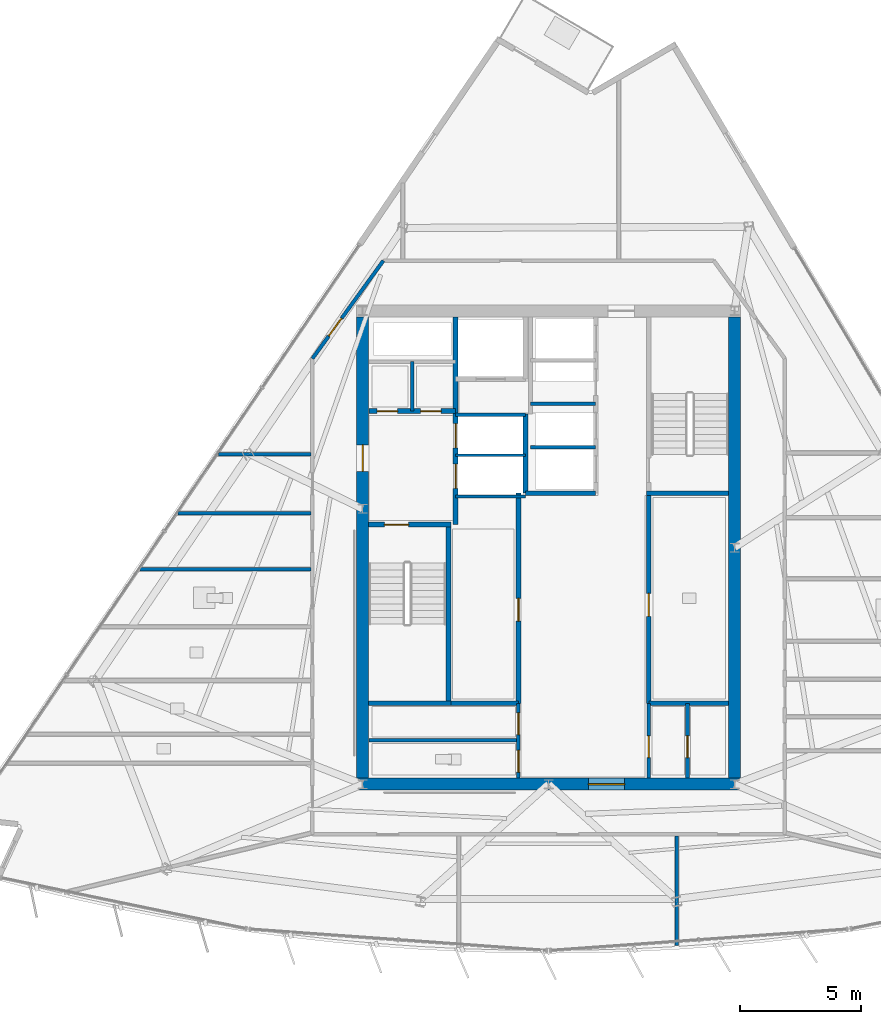
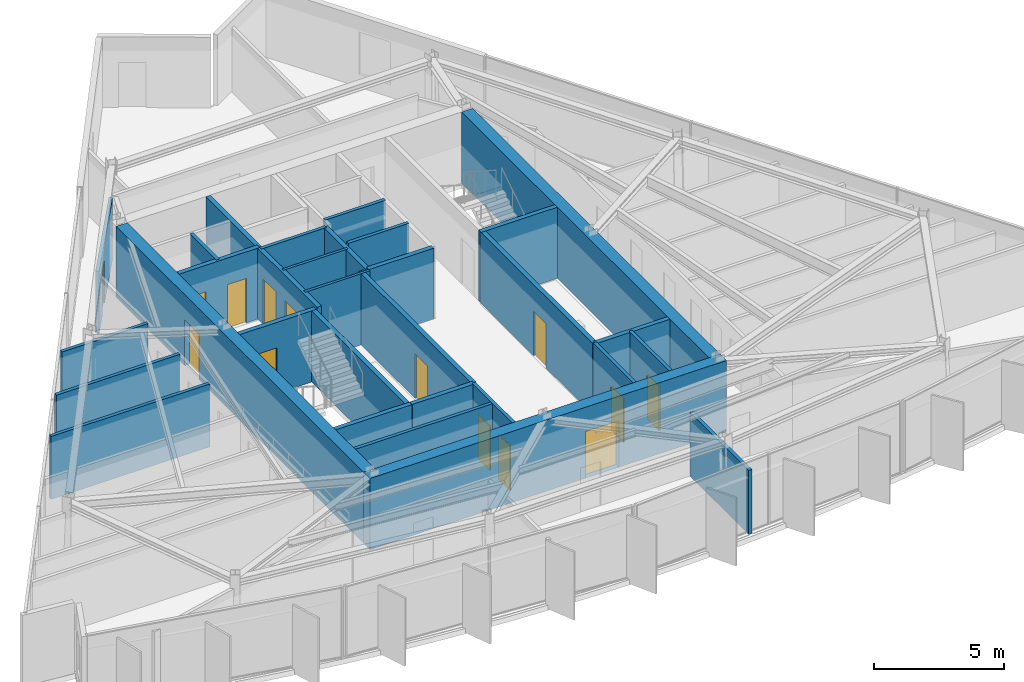
# One storey, part 7 of 13: 30 walls, 14 doors, 14 openings.
"""IFC4 building model written with IfcOpenShell, lengths in metres."""

from ifc_helpers import new_model, si_unit, direction, frame, frame_2d, origin, place, context, subcontext, project, spatial, rectangle, extrude, material, layer, layer_set, type_object, element, fill, save


model = new_model("IFC4")

# Units and contexts
model_context = context("Model", 3, precision=1e-05, world=origin(), true_north=direction((0.0, 1.0)))
body_context = subcontext(model_context, "Body", "Model", "MODEL_VIEW")
ifc_project = project(units=[si_unit("LENGTHUNIT", "METRE"), si_unit("AREAUNIT", "SQUARE_METRE"), si_unit("VOLUMEUNIT", "CUBIC_METRE"), si_unit("PLANEANGLEUNIT", "RADIAN"), si_unit("MASSUNIT", "GRAM", prefix="KILO")], contexts=[model_context])

# Site, building, storey
site_placement = place(None, origin())
site = spatial("IfcSite", under=ifc_project, at=site_placement, CompositionType="ELEMENT")
building_placement = place(site_placement, origin())
building = spatial("IfcBuilding", under=site, at=building_placement, Name="Savorim Split Tower", CompositionType="ELEMENT")
storey_placement = place(building_placement, frame((0.0, 0.0, 254.39990234375)))
storey = spatial("IfcBuildingStorey", under=building, at=storey_placement, Name="L67", CompositionType="ELEMENT", Elevation=254.39990234375)

# Wall, opening, door
ifc_material_1 = material(Name="Concrete C60/75", Category="concrete")
ifc_layer_1 = layer(ifc_material_1, 0.5)
ifc_layer_set_1 = layer_set([ifc_layer_1], Name="WAL-COR-SH500")
wall_type_1 = type_object("IfcWallType", Name="WAL-COR-SH500", PredefinedType="SHEAR", material=ifc_layer_set_1)
wall_1_placement = place(storey_placement, frame((-7.949951171875, -9.39990234375, 0.0), z_axis=(0.0, 0.0, 1.0), x_axis=(1.0, 0.0, 0.0)))
wall_1 = element("IfcWall", 1, at=wall_1_placement, inside=storey, type_object=wall_type_1, Name="L67 Offset Core South Shear Wall", PredefinedType="SHEAR", context=body_context, shape_type="SweptSolid", body=[
    extrude(rectangle(XDim=15.89990234375, YDim=0.5, at=frame_2d((7.949951171875, 0.0))), origin(), (0.0, 0.0, 1.0), 3.35009765625),
])
opening_1_placement = place(wall_1_placement, frame((9.60009765625, 0.0, 0.0)))
opening_1 = element("IfcOpeningElement", 2, at=opening_1_placement, cuts=wall_1, Name="Opening DI-02", PredefinedType="OPENING", context=body_context, shape_type="SweptSolid", body=[
    extrude(rectangle(XDim=1.5, YDim=2.199951171875, at=frame_2d((0.75, 1.10009765625))), frame((0.0, 0.260009765625, 0.0), z_axis=(0.0, -1.0, 0.0), x_axis=(1.0, 0.0, 0.0)), (0.0, 0.0, 1.0), 0.52001953125),
])
ifc_material_2 = material(Name="Timber Fire Door Leaf", Category="wood")
door_type_1 = type_object("IfcDoorType", Name="DOR-DBL-1500", OperationType="NOTDEFINED", PredefinedType="DOOR", material=ifc_material_2)
door_1_placement = place(opening_1_placement, origin())
door_1 = element("IfcDoor", 3, at=door_1_placement, inside=storey, type_object=door_type_1, Name="DOR-L67-COR-LLOB - L67 Lift Lobby Main Rated Door", OperationType="DOUBLE_DOOR_SINGLE_SWING", OverallHeight=2.199951171875, OverallWidth=1.5, PredefinedType="DOOR", context=body_context, shape_type="SweptSolid", body=[
    extrude(rectangle(XDim=1.5, YDim=2.199951171875, at=frame_2d((0.75, 1.10009765625))), frame((0.0, 0.02490234375, 0.0), z_axis=(0.0, -1.0, 0.0), x_axis=(1.0, 0.0, 0.0)), (0.0, 0.0, 1.0), 0.050048828125),
])
fill(opening_1, door_1)

wall_2_placement = place(storey_placement, frame((-7.699951171875, -9.14990234375, 0.0), z_axis=(0.0, 0.0, 1.0), x_axis=(0.0, 1.0, 0.0)))
wall_2 = element("IfcWall", 4, at=wall_2_placement, inside=storey, type_object=wall_type_1, Name="L67 Offset Core West Shear Wall", PredefinedType="SHEAR", context=body_context, shape_type="SweptSolid", body=[
    extrude(rectangle(XDim=19.099853515625, YDim=0.5, at=frame_2d((9.5498046875, 0.0))), origin(), (0.0, 0.0, 1.0), 3.35009765625),
])
opening_2_placement = place(wall_2_placement, frame((12.699951171875, 0.0, 0.0)))
opening_2 = element("IfcOpeningElement", 5, at=opening_2_placement, cuts=wall_2, Name="Opening DI-03", PredefinedType="OPENING", context=body_context, shape_type="SweptSolid", body=[
    extrude(rectangle(XDim=1.10009765625, YDim=2.14990234375, at=frame_2d((0.550048828125, 1.074951171875))), frame((0.0, 0.260009765625, 0.0), z_axis=(0.0, -1.0, 0.0), x_axis=(1.0, 0.0, 0.0)), (0.0, 0.0, 1.0), 0.52001953125),
])
door_type_2 = type_object("IfcDoorType", Name="DOR-FIR-1100", OperationType="NOTDEFINED", PredefinedType="DOOR", material=ifc_material_2)
door_2_placement = place(opening_2_placement, origin())
door_2 = element("IfcDoor", 6, at=door_2_placement, inside=storey, type_object=door_type_2, Name="DOR-L67-COR-FFLOB - L67 Firefighting Lobby Corridor Door", OperationType="SINGLE_SWING_LEFT", OverallHeight=2.14990234375, OverallWidth=1.10009765625, PredefinedType="DOOR", context=body_context, shape_type="SweptSolid", body=[
    extrude(rectangle(XDim=1.10009765625, YDim=2.14990234375, at=frame_2d((0.550048828125, 1.074951171875))), frame((0.0, 0.02490234375, 0.0), z_axis=(0.0, -1.0, 0.0), x_axis=(1.0, 0.0, 0.0)), (0.0, 0.0, 1.0), 0.050048828125),
])
fill(opening_2, door_2)

# Wall
wall_3_placement = place(storey_placement, frame((7.699951171875, 9.949951171875, 0.0), z_axis=(0.0, 0.0, 1.0), x_axis=(0.0, -1.0, 0.0)))
element("IfcWall", 7, at=wall_3_placement, inside=storey, type_object=wall_type_1, Name="L67 Offset Core East Shear Wall", PredefinedType="SHEAR", context=body_context, shape_type="SweptSolid", body=[
    extrude(rectangle(XDim=19.099853515625, YDim=0.5, at=frame_2d((9.5498046875, 0.0))), origin(), (0.0, 0.0, 1.0), 3.35009765625),
])

# Wall, opening, door
ifc_material_3 = material(Name="Concrete C50/60", Category="concrete")
ifc_layer_2 = layer(ifc_material_3, 0.199951171875)
ifc_layer_set_2 = layer_set([ifc_layer_2], Name="WAL-INT-RC200")
wall_type_2 = type_object("IfcWallType", Name="WAL-INT-RC200", PredefinedType="SOLIDWALL", material=ifc_layer_set_2)
wall_4_placement = place(storey_placement, frame((-7.449951171875, 1.35009765625, 0.0), z_axis=(0.0, 0.0, 1.0), x_axis=(1.0, 0.0, 0.0)))
wall_4 = element("IfcWall", 8, at=wall_4_placement, inside=storey, type_object=wall_type_2, Name="L67 Structural Shaft Wall W-L67-CR01", PredefinedType="SOLIDWALL", context=body_context, shape_type="SweptSolid", body=[
    extrude(rectangle(XDim=3.39990234375, YDim=0.199951171875, at=frame_2d((1.699951171875, 0.0))), origin(), (0.0, 0.0, 1.0), 3.35009765625),
])
opening_3_placement = place(wall_4_placement, frame((0.64990234375, 0.0, 0.0)))
opening_3 = element("IfcOpeningElement", 9, at=opening_3_placement, cuts=wall_4, Name="Opening DI-04", PredefinedType="OPENING", context=body_context, shape_type="SweptSolid", body=[
    extrude(rectangle(XDim=1.0, YDim=2.14990234375, at=frame_2d((0.5, 1.074951171875))), frame((0.0, 0.10986328125, 0.0), z_axis=(0.0, -1.0, 0.0), x_axis=(1.0, 0.0, 0.0)), (0.0, 0.0, 1.0), 0.219970703125),
])
door_type_3 = type_object("IfcDoorType", Name="DOR-FIR-1000", OperationType="NOTDEFINED", PredefinedType="DOOR", material=ifc_material_2)
door_3_placement = place(opening_3_placement, origin())
door_3 = element("IfcDoor", 10, at=door_3_placement, inside=storey, type_object=door_type_3, Name="DR-L67-ST1 - L67 Stair ST-1 Enclosure Door", OperationType="SINGLE_SWING_LEFT", OverallHeight=2.14990234375, OverallWidth=1.0, PredefinedType="DOOR", context=body_context, shape_type="SweptSolid", body=[
    extrude(rectangle(XDim=1.0, YDim=2.14990234375, at=frame_2d((0.5, 1.074951171875))), frame((0.0, 0.02490234375, 0.0), z_axis=(0.0, -1.0, 0.0), x_axis=(1.0, 0.0, 0.0)), (0.0, 0.0, 1.0), 0.050048828125),
])
fill(opening_3, door_3)

# Wall
wall_5_placement = place(storey_placement, frame((-4.14990234375, -5.949951171875, 0.0), z_axis=(0.0, 0.0, 1.0), x_axis=(0.0, 1.0, 0.0)))
element("IfcWall", 11, at=wall_5_placement, inside=storey, type_object=wall_type_2, Name="L67 Structural Shaft Wall W-L67-CR02", PredefinedType="SOLIDWALL", context=body_context, shape_type="SweptSolid", body=[
    extrude(rectangle(XDim=7.199951171875, YDim=0.199951171875, at=frame_2d((3.60009765625, 0.0))), origin(), (0.0, 0.0, 1.0), 3.35009765625),
])

# Wall, openings, doors
wall_6_placement = place(storey_placement, frame((-3.85009765625, 1.35009765625, 0.0), z_axis=(0.0, 0.0, 1.0), x_axis=(0.0, 1.0, 0.0)))
wall_6 = element("IfcWall", 12, at=wall_6_placement, inside=storey, type_object=wall_type_2, Name="L67 Partition W-L67-CR03", PredefinedType="SOLIDWALL", context=body_context, shape_type="SweptSolid", body=[
    extrude(rectangle(XDim=8.594970703125, YDim=0.199951171875, at=frame_2d((4.29736328125, 0.0))), origin(), (0.0, 0.0, 1.0), 3.35009765625),
])
opening_4_placement = place(wall_6_placement, frame((1.5, 0.0, 0.0)))
opening_4 = element("IfcOpeningElement", 13, at=opening_4_placement, cuts=wall_6, Name="Opening LD-FFL", PredefinedType="OPENING", context=body_context, shape_type="SweptSolid", body=[
    extrude(rectangle(XDim=1.0, YDim=2.14990234375, at=frame_2d((0.5, 1.074951171875))), frame((0.0, 0.10986328125, 0.0), z_axis=(0.0, -1.0, 0.0), x_axis=(1.0, 0.0, 0.0)), (0.0, 0.0, 1.0), 0.219970703125),
])
opening_5_placement = place(wall_6_placement, frame((3.179931640625, 0.0, 0.0)))
opening_5 = element("IfcOpeningElement", 14, at=opening_5_placement, cuts=wall_6, Name="Opening LD-FFL", PredefinedType="OPENING", context=body_context, shape_type="SweptSolid", body=[
    extrude(rectangle(XDim=1.0, YDim=2.14990234375, at=frame_2d((0.5, 1.074951171875))), frame((0.0, 0.10986328125, 0.0), z_axis=(0.0, -1.0, 0.0), x_axis=(1.0, 0.0, 0.0)), (0.0, 0.0, 1.0), 0.219970703125),
])
ifc_material_4 = material(Name="Charcoal Anodised Aluminium", Category="aluminium")
door_type_4 = type_object("IfcDoorType", Name="DOR-SLD-LD1000", OperationType="NOTDEFINED", PredefinedType="DOOR", material=ifc_material_4)
door_4_placement = place(opening_4_placement, origin())
door_4 = element("IfcDoor", 15, at=door_4_placement, inside=storey, type_object=door_type_4, Name="DR-L67-LD-FFL1 - L67 Firefighting Lift FFL-1 Sliding Landing Door", OperationType="DOUBLE_DOOR_SLIDING", OverallHeight=2.14990234375, OverallWidth=1.0, PredefinedType="DOOR", context=body_context, shape_type="SweptSolid", body=[
    extrude(rectangle(XDim=1.0, YDim=2.14990234375, at=frame_2d((0.5, 1.074951171875))), frame((0.0, 0.02490234375, 0.0), z_axis=(0.0, -1.0, 0.0), x_axis=(1.0, 0.0, 0.0)), (0.0, 0.0, 1.0), 0.050048828125),
])
fill(opening_4, door_4)
door_5_placement = place(opening_5_placement, origin())
door_5 = element("IfcDoor", 16, at=door_5_placement, inside=storey, type_object=door_type_4, Name="DR-L67-LD-FFL2 - L67 Firefighting Lift FFL-2 Sliding Landing Door", OperationType="DOUBLE_DOOR_SLIDING", OverallHeight=2.14990234375, OverallWidth=1.0, PredefinedType="DOOR", context=body_context, shape_type="SweptSolid", body=[
    extrude(rectangle(XDim=1.0, YDim=2.14990234375, at=frame_2d((0.5, 1.074951171875))), frame((0.0, 0.02490234375, 0.0), z_axis=(0.0, -1.0, 0.0), x_axis=(1.0, 0.0, 0.0)), (0.0, 0.0, 1.0), 0.050048828125),
])
fill(opening_5, door_5)

wall_7_placement = place(storey_placement, frame((-7.445068359375, 6.050048828125, 0.0), z_axis=(0.0, 0.0, 1.0), x_axis=(1.0, 0.0, 0.0)))
wall_7 = element("IfcWall", 17, at=wall_7_placement, inside=storey, type_object=wall_type_2, Name="L67 Partition W-L67-CR04", PredefinedType="SOLIDWALL", context=body_context, shape_type="SweptSolid", body=[
    extrude(rectangle(XDim=3.594970703125, YDim=0.199951171875, at=frame_2d((1.79736328125, 0.0))), origin(), (0.0, 0.0, 1.0), 3.35009765625),
])
opening_6_placement = place(wall_7_placement, frame((0.344970703125, 0.0, 0.0)))
opening_6 = element("IfcOpeningElement", 18, at=opening_6_placement, cuts=wall_7, Name="Opening DI-12", PredefinedType="OPENING", context=body_context, shape_type="SweptSolid", body=[
    extrude(rectangle(XDim=0.85009765625, YDim=2.10009765625, at=frame_2d((0.425048828125, 1.050048828125))), frame((0.0, 0.10986328125, 0.0), z_axis=(0.0, -1.0, 0.0), x_axis=(1.0, 0.0, 0.0)), (0.0, 0.0, 1.0), 0.219970703125),
])
opening_7_placement = place(wall_7_placement, frame((2.14501953125, 0.0, 0.0)))
opening_7 = element("IfcOpeningElement", 19, at=opening_7_placement, cuts=wall_7, Name="Opening DI-12", PredefinedType="OPENING", context=body_context, shape_type="SweptSolid", body=[
    extrude(rectangle(XDim=0.85009765625, YDim=2.10009765625, at=frame_2d((0.425048828125, 1.050048828125))), frame((0.0, 0.10986328125, 0.0), z_axis=(0.0, -1.0, 0.0), x_axis=(1.0, 0.0, 0.0)), (0.0, 0.0, 1.0), 0.219970703125),
])
ifc_material_5 = material(Name="Galvanised Painted Steel Balustrade", Category="steel")
door_type_5 = type_object("IfcDoorType", Name="DOR-RIS-850", OperationType="NOTDEFINED", PredefinedType="DOOR", material=ifc_material_5)
door_6_placement = place(opening_6_placement, origin())
door_6 = element("IfcDoor", 20, at=door_6_placement, inside=storey, type_object=door_type_5, Name="DR-L67-ELR - L67 Electrical Riser Access Door", OperationType="SINGLE_SWING_RIGHT", OverallHeight=2.10009765625, OverallWidth=0.85009765625, PredefinedType="DOOR", context=body_context, shape_type="SweptSolid", body=[
    extrude(rectangle(XDim=0.85009765625, YDim=2.10009765625, at=frame_2d((0.425048828125, 1.050048828125))), frame((0.0, 0.02490234375, 0.0), z_axis=(0.0, -1.0, 0.0), x_axis=(1.0, 0.0, 0.0)), (0.0, 0.0, 1.0), 0.050048828125),
])
fill(opening_6, door_6)
door_7_placement = place(opening_7_placement, origin())
door_7 = element("IfcDoor", 21, at=door_7_placement, inside=storey, type_object=door_type_5, Name="DR-L67-TLR - L67 Telecom Riser Access Door", OperationType="SINGLE_SWING_LEFT", OverallHeight=2.10009765625, OverallWidth=0.85009765625, PredefinedType="DOOR", context=body_context, shape_type="SweptSolid", body=[
    extrude(rectangle(XDim=0.85009765625, YDim=2.10009765625, at=frame_2d((0.425048828125, 1.050048828125))), frame((0.0, 0.02490234375, 0.0), z_axis=(0.0, -1.0, 0.0), x_axis=(1.0, 0.0, 0.0)), (0.0, 0.0, 1.0), 0.050048828125),
])
fill(opening_7, door_7)

# Walls
wall_8_placement = place(storey_placement, frame((4.050048828125, 2.64990234375, 0.0), z_axis=(0.0, 0.0, 1.0), x_axis=(1.0, 0.0, 0.0)))
element("IfcWall", 22, at=wall_8_placement, inside=storey, type_object=wall_type_2, Name="L67 Structural Shaft Wall W-L67-CR08", PredefinedType="SOLIDWALL", context=body_context, shape_type="SweptSolid", body=[
    extrude(rectangle(XDim=3.39990234375, YDim=0.199951171875, at=frame_2d((1.699951171875, 0.0))), origin(), (0.0, 0.0, 1.0), 3.35009765625),
])
wall_9_placement = place(storey_placement, frame((-0.949951171875, 2.64990234375, 0.0), z_axis=(0.0, 0.0, 1.0), x_axis=(0.0, 1.0, 0.0)))
element("IfcWall", 23, at=wall_9_placement, inside=storey, type_object=wall_type_2, Name="L67 Partition W-L67-FFLW", PredefinedType="SOLIDWALL", context=body_context, shape_type="SweptSolid", body=[
    extrude(rectangle(XDim=3.27001953125, YDim=0.199951171875, at=frame_2d((1.635009765625, 0.0))), origin(), (0.0, 0.0, 1.0), 3.35009765625),
])

# Wall, opening, door
wall_10_placement = place(storey_placement, frame((4.14990234375, -6.050048828125, 0.0), z_axis=(0.0, 0.0, 1.0), x_axis=(0.0, 1.0, 0.0)))
wall_10 = element("IfcWall", 24, at=wall_10_placement, inside=storey, type_object=wall_type_2, Name="L67 Partition W-L67-B1FRONT", PredefinedType="SOLIDWALL", context=body_context, shape_type="SweptSolid", body=[
    extrude(rectangle(XDim=8.699951171875, YDim=0.199951171875, at=frame_2d((4.35009765625, 0.0))), origin(), (0.0, 0.0, 1.0), 3.35009765625),
])
opening_8_placement = place(wall_10_placement, frame((3.60009765625, 0.0, 0.0)))
opening_8 = element("IfcOpeningElement", 25, at=opening_8_placement, cuts=wall_10, Name="Opening DI-05", PredefinedType="OPENING", context=body_context, shape_type="SweptSolid", body=[
    extrude(rectangle(XDim=0.949951171875, YDim=2.10009765625, at=frame_2d((0.47509765625, 1.050048828125))), frame((0.0, 0.10986328125, 0.0), z_axis=(0.0, -1.0, 0.0), x_axis=(1.0, 0.0, 0.0)), (0.0, 0.0, 1.0), 0.219970703125),
])
door_type_6 = type_object("IfcDoorType", Name="DOR-FIR-950", OperationType="NOTDEFINED", PredefinedType="DOOR", material=ifc_material_2)
door_8_placement = place(opening_8_placement, origin())
door_8 = element("IfcDoor", 26, at=door_8_placement, inside=storey, type_object=door_type_6, Name="DR-L67-LV7B1 - L67 Community Laundry Room Door", OperationType="SINGLE_SWING_RIGHT", OverallHeight=2.10009765625, OverallWidth=0.949951171875, PredefinedType="DOOR", context=body_context, shape_type="SweptSolid", body=[
    extrude(rectangle(XDim=0.949951171875, YDim=2.10009765625, at=frame_2d((0.47509765625, 1.050048828125))), frame((0.0, 0.02490234375, 0.0), z_axis=(0.0, -1.0, 0.0), x_axis=(1.0, 0.0, 0.0)), (0.0, 0.0, 1.0), 0.050048828125),
])
fill(opening_8, door_8)

wall_11_placement = place(storey_placement, frame((-1.25, -6.050048828125, 0.0), z_axis=(0.0, 0.0, 1.0), x_axis=(0.0, 1.0, 0.0)))
wall_11 = element("IfcWall", 27, at=wall_11_placement, inside=storey, type_object=wall_type_2, Name="L67 Partition W-L67-B2FRONT", PredefinedType="SOLIDWALL", context=body_context, shape_type="SweptSolid", body=[
    extrude(rectangle(XDim=8.699951171875, YDim=0.199951171875, at=frame_2d((4.35009765625, 0.0))), origin(), (0.0, 0.0, 1.0), 3.35009765625),
])
opening_9_placement = place(wall_11_placement, frame((3.39990234375, 0.0, 0.0)))
opening_9 = element("IfcOpeningElement", 28, at=opening_9_placement, cuts=wall_11, Name="Opening DI-05", PredefinedType="OPENING", context=body_context, shape_type="SweptSolid", body=[
    extrude(rectangle(XDim=0.949951171875, YDim=2.10009765625, at=frame_2d((0.47509765625, 1.050048828125))), frame((0.0, 0.10986328125, 0.0), z_axis=(0.0, -1.0, 0.0), x_axis=(1.0, 0.0, 0.0)), (0.0, 0.0, 1.0), 0.219970703125),
])
door_9_placement = place(opening_9_placement, origin())
door_9 = element("IfcDoor", 29, at=door_9_placement, inside=storey, type_object=door_type_6, Name="DR-L67-LV7B2 - L67 Quiet Study Room Door", OperationType="SINGLE_SWING_LEFT", OverallHeight=2.10009765625, OverallWidth=0.949951171875, PredefinedType="DOOR", context=body_context, shape_type="SweptSolid", body=[
    extrude(rectangle(XDim=0.949951171875, YDim=2.10009765625, at=frame_2d((0.47509765625, 1.050048828125))), frame((0.0, 0.02490234375, 0.0), z_axis=(0.0, -1.0, 0.0), x_axis=(1.0, 0.0, 0.0)), (0.0, 0.0, 1.0), 0.050048828125),
])
fill(opening_9, door_9)

# Walls
wall_12_placement = place(storey_placement, frame((-0.949951171875, 2.64990234375, 0.0), z_axis=(0.0, 0.0, 1.0), x_axis=(1.0, 0.0, 0.0)))
element("IfcWall", 30, at=wall_12_placement, inside=storey, type_object=wall_type_2, Name="L67 Partition W-L67-B3SOUTH", PredefinedType="SOLIDWALL", context=body_context, shape_type="SweptSolid", body=[
    extrude(rectangle(XDim=2.89990234375, YDim=0.199951171875, at=frame_2d((1.449951171875, 0.0))), origin(), (0.0, 0.0, 1.0), 3.35009765625),
])
wall_13_placement = place(storey_placement, frame((-7.449951171875, -6.050048828125, 0.0), z_axis=(0.0, 0.0, 1.0), x_axis=(1.0, 0.0, 0.0)))
element("IfcWall", 31, at=wall_13_placement, inside=storey, type_object=wall_type_2, Name="L67 Structural Shaft Wall W-L67-KSEP-W", PredefinedType="SOLIDWALL", context=body_context, shape_type="SweptSolid", body=[
    extrude(rectangle(XDim=3.39990234375, YDim=0.199951171875, at=frame_2d((1.699951171875, 0.0))), origin(), (0.0, 0.0, 1.0), 3.35009765625),
])
wall_14_placement = place(storey_placement, frame((-4.0400390625, -6.050048828125, 0.0), z_axis=(0.0, 0.0, 1.0), x_axis=(1.0, 0.0, 0.0)))
element("IfcWall", 32, at=wall_14_placement, inside=storey, type_object=wall_type_2, Name="L67 Partition W-L67-KSEP-W2", PredefinedType="SOLIDWALL", context=body_context, shape_type="SweptSolid", body=[
    extrude(rectangle(XDim=2.7900390625, YDim=0.199951171875, at=frame_2d((1.39501953125, 0.0))), origin(), (0.0, 0.0, 1.0), 3.35009765625),
])
wall_15_placement = place(storey_placement, frame((4.14990234375, -6.050048828125, 0.0), z_axis=(0.0, 0.0, 1.0), x_axis=(1.0, 0.0, 0.0)))
element("IfcWall", 33, at=wall_15_placement, inside=storey, type_object=wall_type_2, Name="L67 Partition W-L67-KSEP-E", PredefinedType="SOLIDWALL", context=body_context, shape_type="SweptSolid", body=[
    extrude(rectangle(XDim=3.295166015625, YDim=0.199951171875, at=frame_2d((1.6474609375, 0.0))), origin(), (0.0, 0.0, 1.0), 3.35009765625),
])
ifc_material_6 = material(Name="Acoustic Gypsum Partition Board")
ifc_layer_3 = layer(ifc_material_6, 0.1201171875)
ifc_layer_set_3 = layer_set([ifc_layer_3], Name="WAL-PAR-120")
wall_type_3 = type_object("IfcWallType", Name="WAL-PAR-120", PredefinedType="PARTITIONING", material=ifc_layer_set_3)
for number, where, z_axis, x_axis, name in (
    (34, (-3.85009765625, 2.52001953125, 0.0), (0.0, 0.0, 1.0), (1.0, 0.0, 0.0), "L67 Partition W-L67-FFLD0"),
    (35, (-3.85009765625, 4.219970703125, 0.0), (0.0, 0.0, 1.0), (1.0, 0.0, 0.0), "L67 Partition W-L67-FFLD1"),
):
    element("IfcWall", number, at=place(storey_placement, frame(where, z_axis=z_axis, x_axis=x_axis)), inside=storey, type_object=wall_type_3, Name=name, PredefinedType="PARTITIONING", context=body_context, shape_type="SweptSolid", body=[
        extrude(rectangle(XDim=2.900146484375, YDim=0.1201171875, at=frame_2d((1.4501953125, 0.0))), origin(), (0.0, 0.0, 1.0), 3.35009765625),
    ])
ifc_layer_4 = layer(ifc_material_6, 0.14990234375)
ifc_layer_set_4 = layer_set([ifc_layer_4], Name="WAL-PAR-150")
wall_type_4 = type_object("IfcWallType", Name="WAL-PAR-150", PredefinedType="PARTITIONING", material=ifc_layer_set_4)
wall_16_placement = place(storey_placement, frame((-5.64990234375, 6.050048828125, 0.0), z_axis=(0.0, 0.0, 1.0), x_axis=(0.0, 1.0, 0.0)))
element("IfcWall", 36, at=wall_16_placement, inside=storey, type_object=wall_type_4, Name="L67 Partition W-L67-CR06", PredefinedType="PARTITIONING", context=body_context, shape_type="SweptSolid", body=[
    extrude(rectangle(XDim=2.050048828125, YDim=0.14990234375, at=frame_2d((1.02490234375, 0.0))), origin(), (0.0, 0.0, 1.0), 3.35009765625),
])
wall_17_placement = place(storey_placement, frame((-3.85009765625, 5.89990234375, 0.0), z_axis=(0.0, 0.0, 1.0), x_axis=(1.0, 0.0, 0.0)))
element("IfcWall", 37, at=wall_17_placement, inside=storey, type_object=wall_type_4, Name="L67 Partition W-L67-FFLD2", PredefinedType="PARTITIONING", context=body_context, shape_type="SweptSolid", body=[
    extrude(rectangle(XDim=2.900146484375, YDim=0.14990234375, at=frame_2d((1.4501953125, 0.0))), origin(), (0.0, 0.0, 1.0), 3.35009765625),
])
for number, where, z_axis, x_axis, name in (
    (38, (-0.75, 4.550048828125, 0.0), (0.0, 0.0, 1.0), (1.0, 0.0, 0.0), "L67 Partition W-L67-B3DIV1"),
    (39, (-0.75, 6.35009765625, 0.0), (0.0, 0.0, 1.0), (1.0, 0.0, 0.0), "L67 Partition W-L67-B3DIV2"),
):
    element("IfcWall", number, at=place(storey_placement, frame(where, z_axis=z_axis, x_axis=x_axis)), inside=storey, type_object=wall_type_4, Name=name, PredefinedType="PARTITIONING", context=body_context, shape_type="SweptSolid", body=[
        extrude(rectangle(XDim=2.699951171875, YDim=0.14990234375, at=frame_2d((1.35009765625, 0.0))), origin(), (0.0, 0.0, 1.0), 3.35009765625),
    ])

# Wall, openings, doors
wall_18_placement = place(storey_placement, frame((-1.25, -9.14501953125, 0.0), z_axis=(0.0, 0.0, 1.0), x_axis=(0.0, 1.0, 0.0)))
wall_18 = element("IfcWall", 40, at=wall_18_placement, inside=storey, type_object=wall_type_4, Name="L67 Partition W-L67-KLOB-W", PredefinedType="PARTITIONING", context=body_context, shape_type="SweptSolid", body=[
    extrude(rectangle(XDim=3.094970703125, YDim=0.14990234375, at=frame_2d((1.54736328125, 0.0))), origin(), (0.0, 0.0, 1.0), 3.35009765625),
])
opening_10_placement = place(wall_18_placement, frame((1.794921875, 0.0, 0.0)))
opening_10 = element("IfcOpeningElement", 41, at=opening_10_placement, cuts=wall_18, Name="Opening DI-06", PredefinedType="OPENING", context=body_context, shape_type="SweptSolid", body=[
    extrude(rectangle(XDim=0.89990234375, YDim=2.10009765625, at=frame_2d((0.449951171875, 1.050048828125))), frame((0.0, 0.0849609375, 0.0), z_axis=(0.0, -1.0, 0.0), x_axis=(1.0, 0.0, 0.0)), (0.0, 0.0, 1.0), 0.169921875),
])
opening_11_placement = place(wall_18_placement, frame((0.2451171875, 0.0, 0.0)))
opening_11 = element("IfcOpeningElement", 42, at=opening_11_placement, cuts=wall_18, Name="Opening DI-11", PredefinedType="OPENING", context=body_context, shape_type="SweptSolid", body=[
    extrude(rectangle(XDim=0.89990234375, YDim=2.10009765625, at=frame_2d((0.449951171875, 1.050048828125))), frame((0.0, 0.0849609375, 0.0), z_axis=(0.0, -1.0, 0.0), x_axis=(1.0, 0.0, 0.0)), (0.0, 0.0, 1.0), 0.169921875),
])
door_type_7 = type_object("IfcDoorType", Name="DOR-FIR-900", OperationType="NOTDEFINED", PredefinedType="DOOR", material=ifc_material_2)
door_10_placement = place(opening_10_placement, origin())
door_10 = element("IfcDoor", 43, at=door_10_placement, inside=storey, type_object=door_type_7, Name="DR-L67-K2CLN - L67 Cleaning Store Door", OperationType="SINGLE_SWING_LEFT", OverallHeight=2.10009765625, OverallWidth=0.89990234375, PredefinedType="DOOR", context=body_context, shape_type="SweptSolid", body=[
    extrude(rectangle(XDim=0.89990234375, YDim=2.10009765625, at=frame_2d((0.449951171875, 1.050048828125))), frame((0.0, 0.02490234375, 0.0), z_axis=(0.0, -1.0, 0.0), x_axis=(1.0, 0.0, 0.0)), (0.0, 0.0, 1.0), 0.050048828125),
])
fill(opening_10, door_10)
ifc_material_7 = material(Name="Oak Veneer Acoustic Door")
door_type_8 = type_object("IfcDoorType", Name="DOR-WC-900", OperationType="NOTDEFINED", PredefinedType="DOOR", material=ifc_material_7)
door_11_placement = place(opening_11_placement, origin())
door_11 = element("IfcDoor", 44, at=door_11_placement, inside=storey, type_object=door_type_8, Name="DR-L67-K2WC - L67 Core WC Door", OperationType="SINGLE_SWING_RIGHT", OverallHeight=2.10009765625, OverallWidth=0.89990234375, PredefinedType="DOOR", context=body_context, shape_type="SweptSolid", body=[
    extrude(rectangle(XDim=0.89990234375, YDim=2.10009765625, at=frame_2d((0.449951171875, 1.050048828125))), frame((0.0, 0.02490234375, 0.0), z_axis=(0.0, -1.0, 0.0), x_axis=(1.0, 0.0, 0.0)), (0.0, 0.0, 1.0), 0.050048828125),
])
fill(opening_11, door_11)

# Wall, opening, door
wall_19_placement = place(storey_placement, frame((4.14990234375, -9.14501953125, 0.0), z_axis=(0.0, 0.0, 1.0), x_axis=(0.0, 1.0, 0.0)))
wall_19 = element("IfcWall", 45, at=wall_19_placement, inside=storey, type_object=wall_type_4, Name="L67 Partition W-L67-KLOB-E", PredefinedType="PARTITIONING", context=body_context, shape_type="SweptSolid", body=[
    extrude(rectangle(XDim=3.094970703125, YDim=0.14990234375, at=frame_2d((1.54736328125, 0.0))), origin(), (0.0, 0.0, 1.0), 3.35009765625),
])
opening_12_placement = place(wall_19_placement, frame((0.844970703125, 0.0, 0.0)))
opening_12 = element("IfcOpeningElement", 46, at=opening_12_placement, cuts=wall_19, Name="Opening DI-06", PredefinedType="OPENING", context=body_context, shape_type="SweptSolid", body=[
    extrude(rectangle(XDim=0.89990234375, YDim=2.10009765625, at=frame_2d((0.449951171875, 1.050048828125))), frame((0.0, 0.0849609375, 0.0), z_axis=(0.0, -1.0, 0.0), x_axis=(1.0, 0.0, 0.0)), (0.0, 0.0, 1.0), 0.169921875),
])
door_12_placement = place(opening_12_placement, origin())
door_12 = element("IfcDoor", 47, at=door_12_placement, inside=storey, type_object=door_type_7, Name="DR-L67-K2PAN - L67 Vending Pantry Door", OperationType="SINGLE_SWING_LEFT", OverallHeight=2.10009765625, OverallWidth=0.89990234375, PredefinedType="DOOR", context=body_context, shape_type="SweptSolid", body=[
    extrude(rectangle(XDim=0.89990234375, YDim=2.10009765625, at=frame_2d((0.449951171875, 1.050048828125))), frame((0.0, 0.02490234375, 0.0), z_axis=(0.0, -1.0, 0.0), x_axis=(1.0, 0.0, 0.0)), (0.0, 0.0, 1.0), 0.050048828125),
])
fill(opening_12, door_12)

# Wall
wall_20_placement = place(storey_placement, frame((-7.445068359375, -7.580078125, 0.0), z_axis=(0.0, 0.0, 1.0), x_axis=(1.0, 0.0, 0.0)))
element("IfcWall", 48, at=wall_20_placement, inside=storey, type_object=wall_type_4, Name="L67 Partition W-L67-K2H", PredefinedType="PARTITIONING", context=body_context, shape_type="SweptSolid", body=[
    extrude(rectangle(XDim=6.195068359375, YDim=0.14990234375, at=frame_2d((3.09765625, 0.0))), origin(), (0.0, 0.0, 1.0), 3.35009765625),
])

# Wall, opening, door
wall_21_placement = place(storey_placement, frame((5.75, -9.14501953125, 0.0), z_axis=(0.0, 0.0, 1.0), x_axis=(0.0, 1.0, 0.0)))
wall_21 = element("IfcWall", 49, at=wall_21_placement, inside=storey, type_object=wall_type_4, Name="L67 Partition W-L67-K2E", PredefinedType="PARTITIONING", context=body_context, shape_type="SweptSolid", body=[
    extrude(rectangle(XDim=3.094970703125, YDim=0.14990234375, at=frame_2d((1.54736328125, 0.0))), origin(), (0.0, 0.0, 1.0), 3.35009765625),
])
opening_13_placement = place(wall_21_placement, frame((0.844970703125, 0.0, 0.0)))
opening_13 = element("IfcOpeningElement", 50, at=opening_13_placement, cuts=wall_21, Name="Opening DI-06", PredefinedType="OPENING", context=body_context, shape_type="SweptSolid", body=[
    extrude(rectangle(XDim=0.89990234375, YDim=2.10009765625, at=frame_2d((0.449951171875, 1.050048828125))), frame((0.0, 0.0849609375, 0.0), z_axis=(0.0, -1.0, 0.0), x_axis=(1.0, 0.0, 0.0)), (0.0, 0.0, 1.0), 0.169921875),
])
door_13_placement = place(opening_13_placement, origin())
door_13 = element("IfcDoor", 51, at=door_13_placement, inside=storey, type_object=door_type_7, Name="DR-L67-K2REF - L67 Recycling Room Door", OperationType="SINGLE_SWING_RIGHT", OverallHeight=2.10009765625, OverallWidth=0.89990234375, PredefinedType="DOOR", context=body_context, shape_type="SweptSolid", body=[
    extrude(rectangle(XDim=0.89990234375, YDim=2.10009765625, at=frame_2d((0.449951171875, 1.050048828125))), frame((0.0, 0.02490234375, 0.0), z_axis=(0.0, -1.0, 0.0), x_axis=(1.0, 0.0, 0.0)), (0.0, 0.0, 1.0), 0.050048828125),
])
fill(opening_13, door_13)

wall_22_placement = place(storey_placement, frame((-9.780029296875, 8.225830078125, 0.0), z_axis=(0.0, 0.0, 1.0), x_axis=(0.586956386413, 0.809618552436, 0.0)))
wall_22 = element("IfcWall", 52, at=wall_22_placement, inside=storey, type_object=wall_type_4, Name="L67 Partition W-L67-COR-02", PredefinedType="PARTITIONING", context=body_context, shape_type="SweptSolid", body=[
    extrude(rectangle(XDim=5.007568359375, YDim=0.14990234375, at=frame_2d((2.50390625, 0.0))), origin(), (0.0, 0.0, 1.0), 2.925048828125),
])
opening_14_placement = place(wall_22_placement, frame((1.15380859375, 0.0, 0.0)))
opening_14 = element("IfcOpeningElement", 53, at=opening_14_placement, cuts=wall_22, Name="Opening DI-06", PredefinedType="OPENING", context=body_context, shape_type="SweptSolid", body=[
    extrude(rectangle(XDim=0.89990234375, YDim=2.10009765625, at=frame_2d((0.449951171875, 1.050048828125))), frame((0.0, 0.0849609375, 0.0), z_axis=(0.0, -1.0, 0.0), x_axis=(1.0, 0.0, 0.0)), (0.0, 0.0, 1.0), 0.169921875),
])
door_14_placement = place(opening_14_placement, origin())
door_14 = element("IfcDoor", 54, at=door_14_placement, inside=storey, type_object=door_type_7, Name="DR-L67-RM18 - L67 Co-Living Bedroom Entry Door", OperationType="SINGLE_SWING_LEFT", OverallHeight=2.10009765625, OverallWidth=0.89990234375, PredefinedType="DOOR", context=body_context, shape_type="SweptSolid", body=[
    extrude(rectangle(XDim=0.89990234375, YDim=2.10009765625, at=frame_2d((0.449951171875, 1.050048828125))), frame((0.0, 0.02490234375, 0.0), z_axis=(0.0, -1.0, 0.0), x_axis=(1.0, 0.0, 0.0)), (0.0, 0.0, 1.0), 0.050048828125),
])
fill(opening_14, door_14)

# Walls
wall_23_placement = place(storey_placement, frame((5.301025390625, -11.5400390625, 0.0), z_axis=(0.0, 0.0, 1.0), x_axis=(0.0, -1.0, 0.0)))
element("IfcWall", 55, at=wall_23_placement, inside=storey, type_object=wall_type_4, Name="L67 Partition W-L67-PRAD03", PredefinedType="PARTITIONING", context=body_context, shape_type="SweptSolid", body=[
    extrude(rectangle(XDim=4.53125, YDim=0.14990234375, at=frame_2d((2.265625, 0.0))), origin(), (0.0, 0.0, 1.0), 3.01513671875),
])
wall_24_placement = place(storey_placement, frame((-9.840087890625, 4.266357421875, 0.0), z_axis=(0.0, 0.0, 1.0), x_axis=(-1.0, 0.0, 0.0)))
element("IfcWall", 56, at=wall_24_placement, inside=storey, type_object=wall_type_4, Name="L67 Partition W-L67-PRAD09", PredefinedType="PARTITIONING", context=body_context, shape_type="SweptSolid", body=[
    extrude(rectangle(XDim=3.837890625, YDim=0.14990234375, at=frame_2d((1.9189453125, 0.0))), origin(), (0.0, 0.0, 1.0), 2.925048828125),
])
wall_25_placement = place(storey_placement, frame((-9.840087890625, -0.492919921875, 0.0), z_axis=(0.0, 0.0, 1.0), x_axis=(-1.0, 0.0, 0.0)))
element("IfcWall", 57, at=wall_25_placement, inside=storey, type_object=wall_type_4, Name="L67 Partition W-L67-SUB01", PredefinedType="PARTITIONING", context=body_context, shape_type="SweptSolid", body=[
    extrude(rectangle(XDim=7.07568359375, YDim=0.14990234375, at=frame_2d((3.537841796875, 0.0))), origin(), (0.0, 0.0, 1.0), 2.965087890625),
])
wall_26_placement = place(storey_placement, frame((-9.840087890625, 1.813720703125, 0.0), z_axis=(0.0, 0.0, 1.0), x_axis=(-1.0, 0.0, 0.0)))
element("IfcWall", 58, at=wall_26_placement, inside=storey, type_object=wall_type_4, Name="L67 Partition W-L67-SUB12", PredefinedType="PARTITIONING", context=body_context, shape_type="SweptSolid", body=[
    extrude(rectangle(XDim=5.506591796875, YDim=0.14990234375, at=frame_2d((2.75341796875, 0.0))), origin(), (0.0, 0.0, 1.0), 2.965087890625),
])

save(model, "model.ifc")
